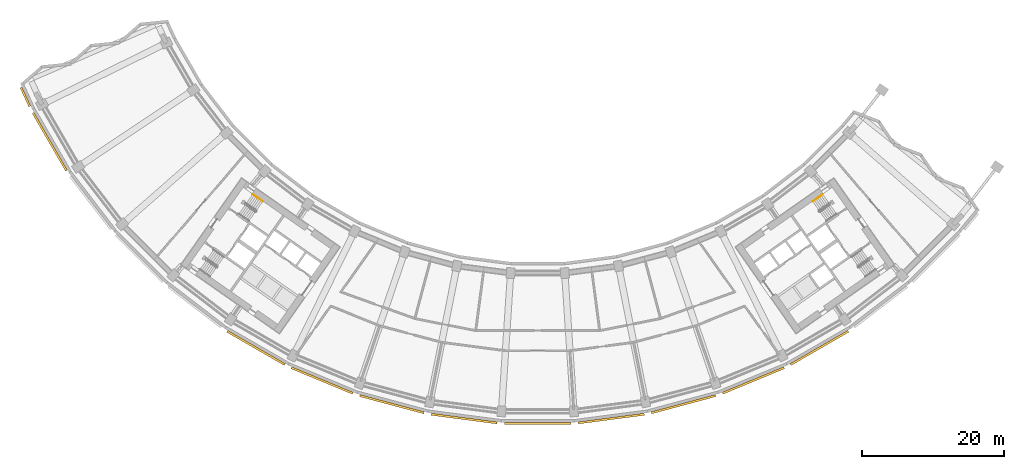
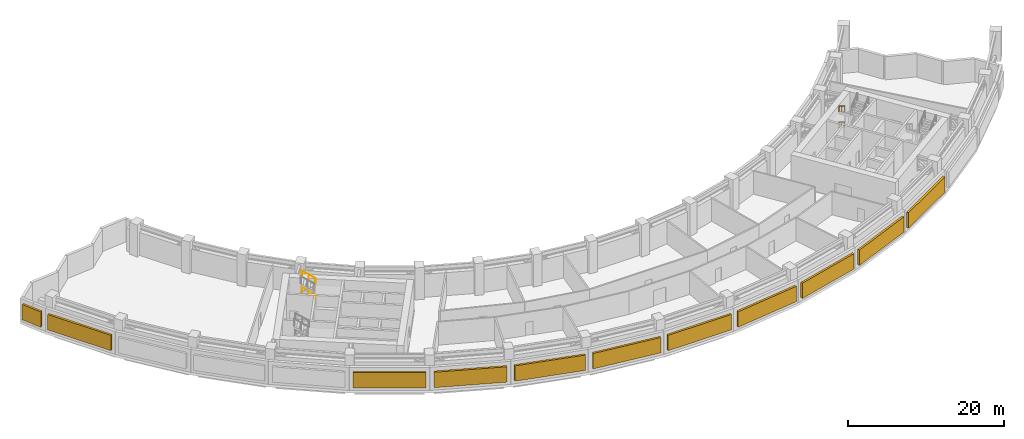
# One storey, part 24 of 25: 11 shading devices, 4 railings.
"""IFC4 building model written with IfcOpenShell, lengths in metres."""

import ifcopenshell
import ifcopenshell.guid

model = None  # the IFC model being written
_history = None  # IfcOwnerHistory: only IFC2X3 demands one
_inside = {}  # id of a spatial element -> (the spatial element, [elements in it])
_under = {}  # id of a project, library or spatial element -> (it, [spatial elements below it])
_declared = {}  # id of a project -> (the project, [libraries it declares])
_typed = {}  # id of a type object -> (the type object, [elements of that type])
_made_of = {}  # id of a material, layer set ... -> (it, [elements and type objects made of it])


def new_model(schema):
    """Start an empty IFC model of exactly this schema.

    Asked for "IFC4X3", IfcOpenShell would pick the latest addendum, in which some entities
    have other attributes; the version numbers below select the first issue.
    IFC2X3 requires an IfcOwnerHistory on every rooted entity: one is made here for all.
    """
    global model, _history
    if schema == "IFC4X3":
        model = ifcopenshell.file(schema_version=(4, 3, 0, 0))
    else:
        model = ifcopenshell.file(schema=schema)
    _inside.clear()
    _under.clear()
    _declared.clear()
    _typed.clear()
    _made_of.clear()
    _history = None
    if model.schema == "IFC2X3":
        org = make("IfcOrganization", Name="unknown")
        user = make(
            "IfcPersonAndOrganization",
            ThePerson=make("IfcPerson", FamilyName="unknown"),
            TheOrganization=org,
        )
        app = make(
            "IfcApplication",
            ApplicationDeveloper=org,
            Version="unknown",
            ApplicationFullName="unknown",
            ApplicationIdentifier="unknown",
        )
        _history = make(
            "IfcOwnerHistory",
            OwningUser=user,
            OwningApplication=app,
            ChangeAction="ADDED",
            CreationDate=0,
        )
    return model


def make(cls, **values):
    """One entity of the class cls with the attributes given. An attribute that is None is left unset."""
    return model.create_entity(
        cls, **{name: value for name, value in values.items() if value is not None}
    )


def rooted(cls, **values):
    """An entity with a GlobalId (a new one), such as an element, a storey or a relation."""
    return make(cls, GlobalId=ifcopenshell.guid.new(), OwnerHistory=_history, **values)


def si_unit(unit_type, name, prefix=None):
    """IfcSIUnit, for example si_unit("LENGTHUNIT", "METRE", prefix="MILLI")."""
    return make("IfcSIUnit", UnitType=unit_type, Prefix=prefix, Name=name)


def assignment(units):
    """IfcUnitAssignment: the units of a project."""
    return None if units is None else make("IfcUnitAssignment", Units=units)


def point(xyz):
    """IfcCartesianPoint."""
    return None if xyz is None else make("IfcCartesianPoint", Coordinates=xyz)


def direction(xyz):
    """IfcDirection."""
    return None if xyz is None else make("IfcDirection", DirectionRatios=xyz)


def frame(location, z_axis=None, x_axis=None):
    """IfcAxis2Placement3D, a coordinate frame: its origin and axes. An axis left out is left unset."""
    return make(
        "IfcAxis2Placement3D",
        Location=point(location),
        Axis=direction(z_axis),
        RefDirection=direction(x_axis),
    )


def frame_2d(location, x_axis=None):
    """IfcAxis2Placement2D, a coordinate frame in the plane: its origin and x axis."""
    return make(
        "IfcAxis2Placement2D", Location=point(location), RefDirection=direction(x_axis)
    )


def origin():
    """The frame at (0, 0, 0) with its axes left unset."""
    return frame((0.0, 0.0, 0.0))


def origin_2d():
    """The frame at (0, 0) in the plane with its x axis left unset."""
    return frame_2d((0.0, 0.0))


def place(relative_to, where):
    """IfcLocalPlacement: puts the frame where relative to a parent placement (None: the world)."""
    return make(
        "IfcLocalPlacement", PlacementRelTo=relative_to, RelativePlacement=where
    )


def context(
    kind, dimensions, precision=None, world=None, true_north=None, identifier=None
):
    """IfcGeometricRepresentationContext, for example the 3D "Model" context."""
    return make(
        "IfcGeometricRepresentationContext",
        ContextIdentifier=identifier,
        ContextType=kind,
        CoordinateSpaceDimension=dimensions,
        Precision=precision,
        WorldCoordinateSystem=world,
        TrueNorth=true_north,
    )


def subcontext(parent, identifier, kind, view, scale=None):
    """IfcGeometricRepresentationSubContext, for example "Body" below "Model"."""
    return make(
        "IfcGeometricRepresentationSubContext",
        ContextIdentifier=identifier,
        ContextType=kind,
        ParentContext=parent,
        TargetScale=scale,
        TargetView=view,
    )


def project(units=None, contexts=None):
    """IfcProject with its units and contexts."""
    return rooted(
        "IfcProject",
        Name="project",
        RepresentationContexts=contexts,
        UnitsInContext=assignment(units),
    )


def spatial(cls, under=None, at=None, **own):
    """A site, building, storey or space (cls), placed at a placement, below another one or the project."""
    s = rooted(cls, ObjectPlacement=at, **own)
    if under is not None:
        _under.setdefault(under.id(), (under, []))[1].append(s)
    return s


def profile(cls, at=None, kind="AREA", **sizes):
    """A parametric profile (cls). Its sizes go by their IFC names, for example OverallWidth=200.0."""
    return make(cls, ProfileType=kind, Position=at, **sizes)


def rectangle(**sizes):
    """IfcRectangleProfileDef."""
    return profile("IfcRectangleProfileDef", **sizes)


def circle(**sizes):
    """IfcCircleProfileDef."""
    return profile("IfcCircleProfileDef", **sizes)


def extrude(swept, where, along, depth):
    """IfcExtrudedAreaSolid: the profile swept, set in the frame where, extruded along a direction by depth."""
    return make(
        "IfcExtrudedAreaSolid",
        SweptArea=swept,
        Position=where,
        ExtrudedDirection=direction(along),
        Depth=depth,
    )


def shape(context_of_items, identifier, shape_type, items):
    """IfcShapeRepresentation: the items that make up one representation, for example the "Body"."""
    return make(
        "IfcShapeRepresentation",
        ContextOfItems=context_of_items,
        RepresentationIdentifier=identifier,
        RepresentationType=shape_type,
        Items=items,
    )


def material(Name=None, Category=None):
    """IfcMaterial."""
    return make("IfcMaterial", Name=Name, Category=Category)


def made_of(thing, what):
    """Note that an element or type object is made of a material, layer set ...; save() writes the relation."""
    if what is not None:
        _made_of.setdefault(what.id(), (what, []))[1].append(thing)
    return thing


def type_object(cls, material=None, **own):
    """A type object (cls), such as IfcWallType, which elements share."""
    return made_of(rooted(cls, **own), material)


def element(
    cls,
    number,
    at=None,
    inside=None,
    cuts=None,
    type_object=None,
    material=None,
    context=None,
    identifier="Body",
    shape_type=None,
    held_by="IfcProductDefinitionShape",
    body=None,
    shapes=None,
    **own,
):
    """One element of the class cls, such as IfcWall. Its Tag is "e" and its number.

    at: its placement. inside: the storey or other place that contains it. cuts: it is an
    opening in that element (IfcRelVoidsElement). A single representation is given by context,
    identifier, shape_type and body (its items); several are given by shapes. held_by: the class
    of the entity that holds the representations. save() writes the other relations.
    """
    e = rooted(cls, Tag="e%d" % number, ObjectPlacement=at, **own)
    if body is not None:
        shapes = [shape(context, identifier, shape_type, body)]
    if shapes is not None:
        e.Representation = make(held_by, Representations=shapes)
    if inside is not None:
        _inside.setdefault(inside.id(), (inside, []))[1].append(e)
    if cuts is not None:
        rooted(
            "IfcRelVoidsElement", RelatingBuildingElement=cuts, RelatedOpeningElement=e
        )
    if type_object is not None:
        _typed.setdefault(type_object.id(), (type_object, []))[1].append(e)
    return made_of(e, material)


def aggregate(whole, parts):
    """IfcRelAggregates: a whole, such as a stair, and the parts it consists of."""
    return rooted("IfcRelAggregates", RelatingObject=whole, RelatedObjects=parts)


def save(model, path):
    """Write the relations noted so far, then the file.

    IfcRelAggregates (storeys below a building ...), IfcRelContainedInSpatialStructure (elements
    in a storey), IfcRelDefinesByType, IfcRelAssociatesMaterial and IfcRelDeclares: one each for
    every whole, place, type object, material and project.
    """
    for whole, parts in _under.values():
        aggregate(whole, parts)
    for where, things in _inside.values():
        rooted(
            "IfcRelContainedInSpatialStructure",
            RelatedElements=things,
            RelatingStructure=where,
        )
    for kind, things in _typed.values():
        rooted("IfcRelDefinesByType", RelatedObjects=things, RelatingType=kind)
    for what, things in _made_of.values():
        rooted("IfcRelAssociatesMaterial", RelatedObjects=things, RelatingMaterial=what)
    for by, libraries in _declared.values():
        rooted("IfcRelDeclares", RelatingContext=by, RelatedDefinitions=libraries)
    model.write(path)


model = new_model("IFC4")

# Units and contexts
model_context = context("Model", 3, precision=1e-05, world=origin(), true_north=direction((0.0, 1.0)))
body_context = subcontext(model_context, "Body", "Model", "MODEL_VIEW")
ifc_project = project(units=[si_unit("LENGTHUNIT", "METRE"), si_unit("AREAUNIT", "SQUARE_METRE"), si_unit("VOLUMEUNIT", "CUBIC_METRE"), si_unit("PLANEANGLEUNIT", "RADIAN"), si_unit("MASSUNIT", "GRAM", prefix="KILO")], contexts=[model_context])

# Site, building, storey
site_placement = place(None, origin())
site = spatial("IfcSite", under=ifc_project, at=site_placement, CompositionType="ELEMENT")
building_placement = place(site_placement, origin())
building = spatial("IfcBuilding", under=site, at=building_placement, Name="Qamariyya Broadcast Tower", CompositionType="ELEMENT")
storey_placement = place(building_placement, frame((0.0, 0.0, 144.300048828125)))
storey = spatial("IfcBuildingStorey", under=building, at=storey_placement, Name="L33", CompositionType="ELEMENT", Elevation=144.300048828125)

# Railings
ifc_material_1 = material(Name="Stainless steel", Category="steel")
railing_type = type_object("IfcRailingType", Name="Stair handrail", PredefinedType="HANDRAIL", material=ifc_material_1)
for number, where, name in (
    (1, (-38.68896484375, -48.04833984375, 1.428466796875), "L33 ST-W2 stair handrail 2"),
    (2, (-38.68896484375, -48.04833984375, 3.928466796875), "L33 ST-W2 stair handrail 4"),
):
    element("IfcRailing", number, at=place(storey_placement, frame(where)), inside=storey, type_object=railing_type, Name=name, PredefinedType="HANDRAIL", context=body_context, shape_type="SweptSolid", body=[
        extrude(circle(Radius=0.02392578125, at=origin_2d()), frame((0.0, 0.0, 0.8759765625), z_axis=(-0.69748900342, 0.488409565944, 0.52437122919), x_axis=(-0.573594173421, -0.819139624372, 0.0)), (0.0, 0.0, 1.0), 2.04345703125),
        extrude(circle(Radius=0.02099609375, at=origin_2d()), origin(), (0.0, 0.0, 1.0), 0.851806640625),
        extrude(circle(Radius=0.02099609375, at=origin_2d()), frame((-0.712646484375, 0.4990234375, 0.53564453125)), (0.0, 0.0, 1.0), 0.851806640625),
        extrude(circle(Radius=0.02099609375, at=origin_2d()), frame((-1.42529296875, 0.998046875, 1.071533203125)), (0.0, 0.0, 1.0), 0.851806640625),
    ])
for number, where, name in (
    (3, (40.1142578125, -47.05029296875, 0.178466796875), "L33 ST-E2 stair handrail 1"),
    (4, (40.1142578125, -47.05029296875, 2.678466796875), "L33 ST-E2 stair handrail 3"),
):
    element("IfcRailing", number, at=place(storey_placement, frame(where)), inside=storey, type_object=railing_type, Name=name, PredefinedType="HANDRAIL", context=body_context, shape_type="SweptSolid", body=[
        extrude(circle(Radius=0.02392578125, at=origin_2d()), frame((0.0, 0.0, 0.8759765625), z_axis=(-0.69748900342, -0.488409565944, 0.52437122919), x_axis=(0.573594173421, -0.819139624372, 0.0)), (0.0, 0.0, 1.0), 2.04345703125),
        extrude(circle(Radius=0.02099609375, at=origin_2d()), origin(), (0.0, 0.0, 1.0), 0.851806640625),
        extrude(circle(Radius=0.02099609375, at=origin_2d()), frame((-0.712646484375, -0.4990234375, 0.53564453125)), (0.0, 0.0, 1.0), 0.851806640625),
        extrude(circle(Radius=0.02099609375, at=origin_2d()), frame((-1.42529296875, -0.998046875, 1.071533203125)), (0.0, 0.0, 1.0), 0.851806640625),
    ])

# Shading devices
ifc_material_2 = material(Name="Glazed terracotta", Category="masonry")
shading_device_type = type_object("IfcShadingDeviceType", Name="Terracotta louvre bank", PredefinedType="USERDEFINED", material=ifc_material_2)
shading_device_placement = place(storey_placement, frame((-72.084228515625, -33.35107421875, 0.60009765625), z_axis=(0.0, 0.0, 1.0), x_axis=(0.419903253523, -0.907568872142, 0.0)))
element("IfcShadingDevice", 5, at=shading_device_placement, inside=storey, type_object=shading_device_type, Name="e-lv-L33-00", ObjectType="LOUVRE", PredefinedType="USERDEFINED", context=body_context, shape_type="SweptSolid", body=[
    extrude(rectangle(XDim=2.9345703125, YDim=0.300048828125, at=origin_2d()), origin(), (0.0, 0.0, 1.0), 2.39990234375),
])
for number, where, z_axis, x_axis, name in (
    (6, (-68.65869140625, -39.64013671875, 0.60009765625), (0.0, 0.0, 1.0), (0.5, -0.866025403784, 0.0), "e-lv-L33-01"),
    (7, (-39.64013671875, -68.65869140625, 0.60009765625), (0.0, 0.0, 1.0), (0.866025403784, -0.5, 0.0), "e-lv-L33-05"),
    (8, (-30.339111328125, -73.245361328125, 0.60009765625), (0.0, 0.0, 1.0), (0.923879532511, -0.382683432365, 0.0), "e-lv-L33-06"),
    (9, (-20.519287109375, -76.578857421875, 0.60009765625), (0.0, 0.0, 1.0), (0.965925826289, -0.258819045103, 0.0), "e-lv-L33-07"),
    (10, (-10.34814453125, -78.60205078125, 0.60009765625), (0.0, 0.0, 1.0), (0.991444861374, -0.13052619222, 0.0), "e-lv-L33-08"),
    (11, (0.0, -79.2802734375, 0.60009765625), (0.0, 0.0, 1.0), (1.0, 0.0, 0.0), "e-lv-L33-09"),
    (12, (10.34814453125, -78.60205078125, 0.60009765625), (0.0, 0.0, 1.0), (0.991444861374, 0.13052619222, 0.0), "e-lv-L33-10"),
    (13, (20.519287109375, -76.578857421875, 0.60009765625), (0.0, 0.0, 1.0), (0.965925826289, 0.258819045103, 0.0), "e-lv-L33-11"),
    (14, (30.339111328125, -73.245361328125, 0.60009765625), (0.0, 0.0, 1.0), (0.923879532511, 0.382683432365, 0.0), "e-lv-L33-12"),
    (15, (39.64013671875, -68.65869140625, 0.60009765625), (0.0, 0.0, 1.0), (0.866025403784, 0.5, 0.0), "e-lv-L33-13"),
):
    element("IfcShadingDevice", number, at=place(storey_placement, frame(where, z_axis=z_axis, x_axis=x_axis)), inside=storey, type_object=shading_device_type, Name=name, ObjectType="LOUVRE", PredefinedType="USERDEFINED", context=body_context, shape_type="SweptSolid", body=[
        extrude(rectangle(XDim=9.373046875, YDim=0.300048828125, at=origin_2d()), origin(), (0.0, 0.0, 1.0), 2.39990234375),
    ])

save(model, "model.ifc")
